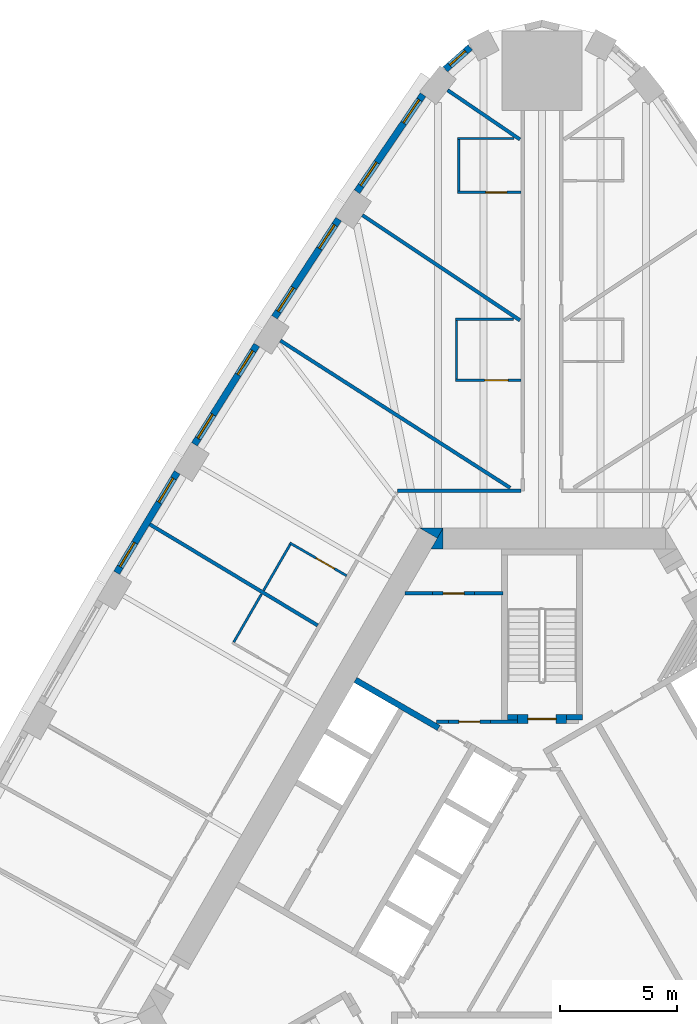
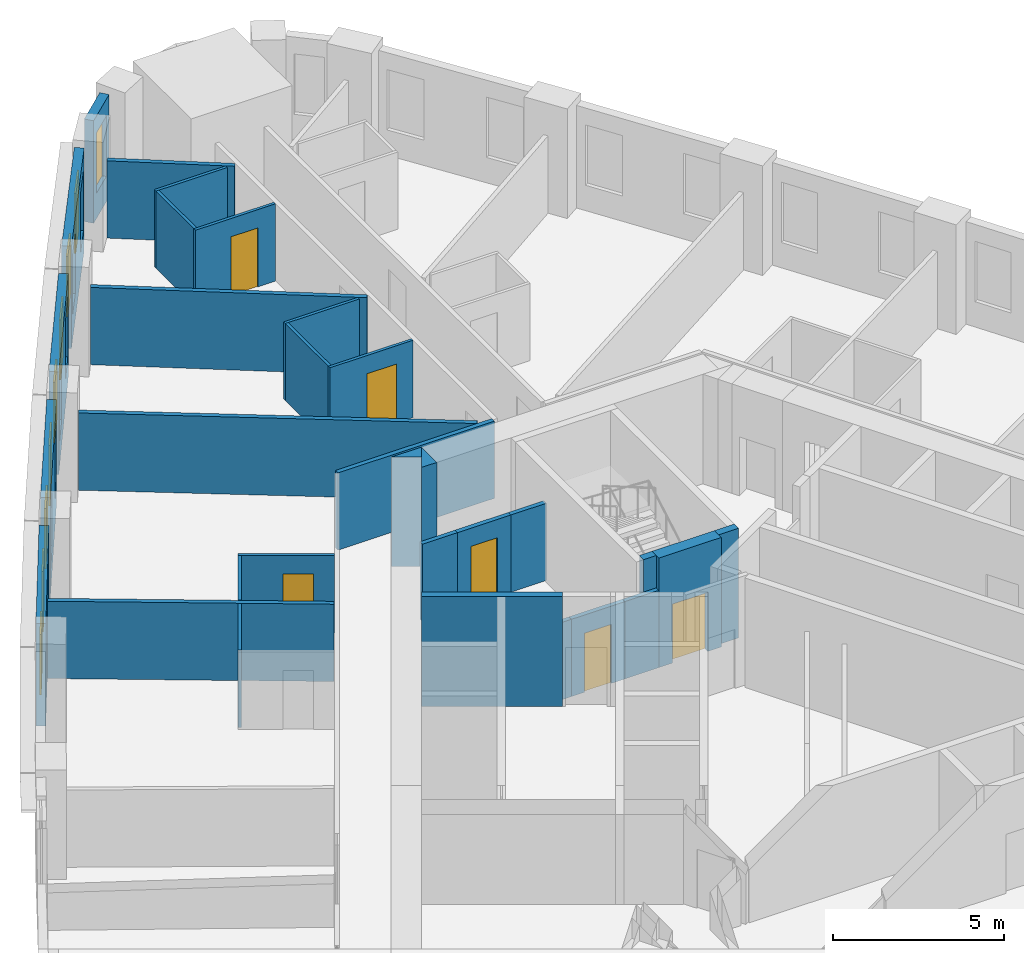
# One storey, part 9 of 12: 31 walls, 9 windows, 6 doors, 15 openings.
"""IFC4 building model written with IfcOpenShell, lengths in metres."""

from ifc_helpers import new_model, si_unit, direction, frame, frame_2d, origin, place, context, subcontext, project, spatial, polyline, rectangle, outline, extrude, material, layer, layer_set, type_object, element, fill, save


model = new_model("IFC4")

# Units and contexts
model_context = context("Model", 3, precision=1e-05, world=origin(), true_north=direction((0.0, 1.0)))
body_context = subcontext(model_context, "Body", "Model", "MODEL_VIEW")
ifc_project = project(units=[si_unit("LENGTHUNIT", "METRE"), si_unit("AREAUNIT", "SQUARE_METRE"), si_unit("VOLUMEUNIT", "CUBIC_METRE"), si_unit("PLANEANGLEUNIT", "RADIAN"), si_unit("MASSUNIT", "GRAM", prefix="KILO")], contexts=[model_context])

# Site, building, storey
site_placement = place(None, origin())
site = spatial("IfcSite", under=ifc_project, at=site_placement, CompositionType="ELEMENT")
building_placement = place(site_placement, origin())
building = spatial("IfcBuilding", under=site, at=building_placement, Name="Mestral Congress Tower", CompositionType="ELEMENT")
storey_placement = place(building_placement, frame((0.0, 0.0, 70.5)))
storey = spatial("IfcBuildingStorey", under=building, at=storey_placement, Name="L16", CompositionType="ELEMENT", Elevation=70.5)

# Walls
ifc_material_1 = material(Name="Fire-rated board partition")
ifc_layer_1 = layer(ifc_material_1, 0.14990234375)
ifc_layer_set_1 = layer_set([ifc_layer_1], Name="Fire-rated board partition")
wall_type_1 = type_object("IfcWallType", Name="Core partition 150", PredefinedType="PARTITIONING", material=ifc_layer_set_1)
wall_1_placement = place(storey_placement, frame((-3.99658203125, 8.625244140625, 0.0), z_axis=(0.0, 0.0, 1.0), x_axis=(-1.0, 0.0, 0.0)))
element("IfcWall", 1, at=wall_1_placement, inside=storey, type_object=wall_type_1, Name="L16 core wall", PredefinedType="PARTITIONING", context=body_context, shape_type="SweptSolid", body=[
    extrude(rectangle(XDim=0.502197265625, YDim=0.14990234375, at=frame_2d((0.2509765625, 0.0))), origin(), (0.0, 0.0, 1.0), 2.75),
])
wall_2_placement = place(storey_placement, frame((-5.85107421875, 14.10205078125, 0.0), z_axis=(0.0, 0.0, 1.0), x_axis=(1.0, 0.0, 0.0)))
element("IfcWall", 2, at=wall_2_placement, inside=storey, type_object=wall_type_1, Name="L16 core wall", PredefinedType="PARTITIONING", context=body_context, shape_type="SweptSolid", body=[
    extrude(rectangle(XDim=1.18017578125, YDim=0.14990234375, at=frame_2d((0.590087890625, 0.0))), origin(), (0.0, 0.0, 1.0), 2.75),
])
wall_3_placement = place(storey_placement, frame((-2.87060546875, 14.10205078125, 0.0), z_axis=(0.0, 0.0, 1.0), x_axis=(1.0, 0.0, 0.0)))
element("IfcWall", 3, at=wall_3_placement, inside=storey, type_object=wall_type_1, Name="L16 core wall", PredefinedType="PARTITIONING", context=body_context, shape_type="SweptSolid", body=[
    extrude(rectangle(XDim=1.195556640625, YDim=0.14990234375, at=frame_2d((0.59765625, 0.0))), origin(), (0.0, 0.0, 1.0), 2.75),
])
wall_4_placement = place(storey_placement, frame((-2.1962890625, 8.62548828125, 0.0), z_axis=(0.0, 0.0, 1.0), x_axis=(1.0, 0.0, 0.0)))
element("IfcWall", 4, at=wall_4_placement, inside=storey, type_object=wall_type_1, Name="L16 core wall", PredefinedType="PARTITIONING", context=body_context, shape_type="SweptSolid", body=[
    extrude(rectangle(XDim=1.146240234375, YDim=0.14990234375, at=frame_2d((0.5732421875, 0.0))), origin(), (0.0, 0.0, 1.0), 2.75),
])

# Wall, opening, door
wall_5_placement = place(storey_placement, frame((-2.1962890625, 8.625, 0.0), z_axis=(0.0, 0.0, 1.0), x_axis=(-1.0, 0.0, 0.0)))
wall_5 = element("IfcWall", 5, at=wall_5_placement, inside=storey, type_object=wall_type_1, Name="L16 door wall", PredefinedType="PARTITIONING", context=body_context, shape_type="SweptSolid", body=[
    extrude(rectangle(XDim=1.800048828125, YDim=0.14990234375, at=frame_2d((0.89990234375, 0.0))), origin(), (0.0, 0.0, 1.0), 2.75),
])
opening_1_placement = place(wall_5_placement, frame((0.449951171875, 0.0, 0.0)))
opening_1 = element("IfcOpeningElement", 6, at=opening_1_placement, cuts=wall_5, Name="Opening TD2", PredefinedType="OPENING", context=body_context, shape_type="SweptSolid", body=[
    extrude(rectangle(XDim=0.89990234375, YDim=2.10009765625, at=frame_2d((0.449951171875, 1.050048828125))), frame((0.0, 0.0849609375, 0.0), z_axis=(0.0, -1.0, 0.0), x_axis=(1.0, 0.0, 0.0)), (0.0, 0.0, 1.0), 0.169921875),
])
ifc_material_2 = material(Name="Fire-rated steel door set", Category="steel")
door_type_1 = type_object("IfcDoorType", Name="Core door SR 900x2100", OperationType="SINGLE_SWING_LEFT", PredefinedType="DOOR", material=ifc_material_2)
door_1_placement = place(opening_1_placement, origin())
door_1 = element("IfcDoor", 7, at=door_1_placement, inside=storey, type_object=door_type_1, Name="Door TD2", OperationType="SINGLE_SWING_LEFT", OverallHeight=2.10009765625, OverallWidth=0.89990234375, PredefinedType="DOOR", context=body_context, shape_type="SweptSolid", body=[
    extrude(rectangle(XDim=0.89990234375, YDim=2.10009765625, at=frame_2d((0.449951171875, 1.050048828125))), frame((0.0, 0.02490234375, 0.0), z_axis=(0.0, -1.0, 0.0), x_axis=(1.0, 0.0, 0.0)), (0.0, 0.0, 1.0), 0.050048828125),
])
fill(opening_1, door_1)

wall_6_placement = place(storey_placement, frame((-2.870849609375, 14.10205078125, 0.0), z_axis=(0.0, 0.0, 1.0), x_axis=(-1.0, 0.0, 0.0)))
wall_6 = element("IfcWall", 8, at=wall_6_placement, inside=storey, type_object=wall_type_1, Name="L16 door wall", PredefinedType="PARTITIONING", context=body_context, shape_type="SweptSolid", body=[
    extrude(rectangle(XDim=1.800048828125, YDim=0.14990234375, at=frame_2d((0.89990234375, 0.0))), origin(), (0.0, 0.0, 1.0), 2.75),
])
opening_2_placement = place(wall_6_placement, frame((0.449951171875, 0.0, 0.0)))
opening_2 = element("IfcOpeningElement", 9, at=opening_2_placement, cuts=wall_6, Name="Opening SD-WS2", PredefinedType="OPENING", context=body_context, shape_type="SweptSolid", body=[
    extrude(rectangle(XDim=0.89990234375, YDim=2.10009765625, at=frame_2d((0.449951171875, 1.050048828125))), frame((0.0, 0.0849609375, 0.0), z_axis=(0.0, -1.0, 0.0), x_axis=(1.0, 0.0, 0.0)), (0.0, 0.0, 1.0), 0.169921875),
])
door_2_placement = place(opening_2_placement, origin())
door_2 = element("IfcDoor", 10, at=door_2_placement, inside=storey, type_object=door_type_1, Name="Door SD-WS2", OperationType="SINGLE_SWING_LEFT", OverallHeight=2.10009765625, OverallWidth=0.89990234375, PredefinedType="DOOR", context=body_context, shape_type="SweptSolid", body=[
    extrude(rectangle(XDim=0.89990234375, YDim=2.10009765625, at=frame_2d((0.449951171875, 1.050048828125))), frame((0.0, 0.02490234375, 0.0), z_axis=(0.0, -1.0, 0.0), x_axis=(1.0, 0.0, 0.0)), (0.0, 0.0, 1.0), 0.050048828125),
])
fill(opening_2, door_2)

# Walls
ifc_material_3 = material(Name="Concrete C60/75", Category="concrete")
ifc_layer_2 = layer(ifc_material_3, 0.89990234375)
ifc_layer_set_2 = layer_set([ifc_layer_2], Name="Concrete C60/75")
wall_type_2 = type_object("IfcWallType", Name="Core wall RC 900", PredefinedType="SOLIDWALL", material=ifc_layer_set_2)
placement = place(storey_placement, origin())
element("IfcWall", 11, at=placement, inside=storey, type_object=wall_type_2, Name="L16 core wall", PredefinedType="SOLIDWALL", context=body_context, shape_type="SweptSolid", body=[
    extrude(outline(polyline([(-4.214599609375, 16.89990234375), (-4.46875, 16.460205078125), (-5.230712890625, 16.89990234375), (-4.214599609375, 16.89990234375)])), origin(), (0.0, 0.0, 1.0), 3.89990234375),
])
element("IfcWall", 12, at=placement, inside=storey, type_object=wall_type_2, Name="L16 core wall", PredefinedType="SOLIDWALL", context=body_context, shape_type="SweptSolid", body=[
    extrude(outline(polyline([(-4.734375, 16.0), (-4.226318359375, 16.8798828125), (-4.226318359375, 16.0), (-4.734375, 16.0)])), origin(), (0.0, 0.0, 1.0), 3.89990234375),
])

# Wall, opening, window
ifc_material_4 = material(Name="Precast concrete C40/50 with limestone facing", Category="masonry")
ifc_layer_3 = layer(ifc_material_4, 0.2900390625)
ifc_layer_set_3 = layer_set([ifc_layer_3], Name="Precast concrete C40/50 with limestone facing")
wall_type_3 = type_object("IfcWallType", Name="Facade stone wall 290", PredefinedType="SOLIDWALL", material=ifc_layer_set_3)
wall_9_placement = place(storey_placement, frame((-3.064453125, 37.395263671875, 0.0), z_axis=(0.0, 0.0, 1.0), x_axis=(-0.749812680302, -0.661650167731, 0.0)))
wall_9 = element("IfcWall", 13, at=wall_9_placement, inside=storey, type_object=wall_type_3, Name="Facade wall K1-3", PredefinedType="SOLIDWALL", context=body_context, shape_type="SweptSolid", body=[
    extrude(rectangle(XDim=1.4150390625, YDim=0.2900390625, at=frame_2d((0.70751953125, 0.0))), origin(), (0.0, 0.0, 1.0), 3.64990234375),
])
opening_3_placement = place(wall_9_placement, frame((0.257568359375, 0.0, 0.89990234375)))
opening_3 = element("IfcOpeningElement", 14, at=opening_3_placement, cuts=wall_9, Name="Opening W3", PredefinedType="OPENING", context=body_context, shape_type="SweptSolid", body=[
    extrude(rectangle(XDim=0.89990234375, YDim=2.14990234375, at=frame_2d((0.449951171875, 1.074951171875))), frame((0.0, 0.155029296875, 0.0), z_axis=(0.0, -1.0, 0.0), x_axis=(1.0, 0.0, 0.0)), (0.0, 0.0, 1.0), 0.31005859375),
])
ifc_material_5 = material(Name="Clear low-emissivity double glazing", Category="glass")
window_type_1 = type_object("IfcWindowType", Name="Facade punched window 900 x 2150 sill 900", PartitioningType="SINGLE_PANEL", PredefinedType="WINDOW", material=ifc_material_5)
window_1_placement = place(opening_3_placement, origin())
window_1 = element("IfcWindow", 15, at=window_1_placement, inside=storey, type_object=window_type_1, Name="Window K1-3", OverallHeight=2.14990234375, OverallWidth=0.89990234375, PartitioningType="SINGLE_PANEL", PredefinedType="WINDOW", context=body_context, shape_type="SweptSolid", body=[
    extrude(rectangle(XDim=0.89990234375, YDim=2.14990234375, at=frame_2d((0.449951171875, 1.074951171875))), frame((0.0, 0.01513671875, 0.0), z_axis=(0.0, -1.0, 0.0), x_axis=(1.0, 0.0, 0.0)), (0.0, 0.0, 1.0), 0.06005859375),
])
fill(opening_3, window_1)

# Wall, openings, windows
wall_10_placement = place(storey_placement, frame((-5.078369140625, 35.37646484375, 0.0), z_axis=(0.0, 0.0, 1.0), x_axis=(-0.562610153679, -0.826722332454, 0.0)))
wall_10 = element("IfcWall", 16, at=wall_10_placement, inside=storey, type_object=wall_type_3, Name="Facade wall F2-00", PredefinedType="SOLIDWALL", context=body_context, shape_type="SweptSolid", body=[
    extrude(rectangle(XDim=5.005615234375, YDim=0.2900390625, at=frame_2d((2.5029296875, 0.0))), origin(), (0.0, 0.0, 1.0), 3.64990234375),
])
opening_4_placement = place(wall_10_placement, frame((0.26513671875, 0.0, 0.89990234375)))
opening_4 = element("IfcOpeningElement", 17, at=opening_4_placement, cuts=wall_10, Name="Opening W1", PredefinedType="OPENING", context=body_context, shape_type="SweptSolid", body=[
    extrude(rectangle(XDim=1.199951171875, YDim=2.14990234375, at=frame_2d((0.60009765625, 1.074951171875))), frame((0.0, 0.155029296875, 0.0), z_axis=(0.0, -1.0, 0.0), x_axis=(1.0, 0.0, 0.0)), (0.0, 0.0, 1.0), 0.31005859375),
])
opening_5_placement = place(wall_10_placement, frame((3.495361328125, 0.0, 0.89990234375)))
opening_5 = element("IfcOpeningElement", 18, at=opening_5_placement, cuts=wall_10, Name="Opening W1", PredefinedType="OPENING", context=body_context, shape_type="SweptSolid", body=[
    extrude(rectangle(XDim=1.199951171875, YDim=2.14990234375, at=frame_2d((0.60009765625, 1.074951171875))), frame((0.0, 0.155029296875, 0.0), z_axis=(0.0, -1.0, 0.0), x_axis=(1.0, 0.0, 0.0)), (0.0, 0.0, 1.0), 0.31005859375),
])
window_type_2 = type_object("IfcWindowType", Name="Facade punched window 1200 x 2150 sill 900", PartitioningType="DOUBLE_PANEL_VERTICAL", PredefinedType="WINDOW", material=ifc_material_5)
window_2_placement = place(opening_4_placement, origin())
window_2 = element("IfcWindow", 19, at=window_2_placement, inside=storey, type_object=window_type_2, Name="Window F2-00a", OverallHeight=2.14990234375, OverallWidth=1.199951171875, PartitioningType="DOUBLE_PANEL_VERTICAL", PredefinedType="WINDOW", context=body_context, shape_type="SweptSolid", body=[
    extrude(rectangle(XDim=1.199951171875, YDim=2.14990234375, at=frame_2d((0.60009765625, 1.074951171875))), frame((0.0, 0.01513671875, 0.0), z_axis=(0.0, -1.0, 0.0), x_axis=(1.0, 0.0, 0.0)), (0.0, 0.0, 1.0), 0.06005859375),
])
fill(opening_4, window_2)
window_3_placement = place(opening_5_placement, origin())
window_3 = element("IfcWindow", 20, at=window_3_placement, inside=storey, type_object=window_type_2, Name="Window F2-00b", OverallHeight=2.14990234375, OverallWidth=1.199951171875, PartitioningType="DOUBLE_PANEL_VERTICAL", PredefinedType="WINDOW", context=body_context, shape_type="SweptSolid", body=[
    extrude(rectangle(XDim=1.199951171875, YDim=2.14990234375, at=frame_2d((0.60009765625, 1.074951171875))), frame((0.0, 0.01513671875, 0.0), z_axis=(0.0, -1.0, 0.0), x_axis=(1.0, 0.0, 0.0)), (0.0, 0.0, 1.0), 0.06005859375),
])
fill(opening_5, window_3)

wall_11_placement = place(storey_placement, frame((-8.675537109375, 30.067626953125, 0.0), z_axis=(0.0, 0.0, 1.0), x_axis=(-0.547204617628, -0.836998868845, 0.0)))
wall_11 = element("IfcWall", 21, at=wall_11_placement, inside=storey, type_object=wall_type_3, Name="Facade wall F2-01", PredefinedType="SOLIDWALL", context=body_context, shape_type="SweptSolid", body=[
    extrude(rectangle(XDim=4.998291015625, YDim=0.2900390625, at=frame_2d((2.4990234375, 0.0))), origin(), (0.0, 0.0, 1.0), 3.64990234375),
])
opening_6_placement = place(wall_11_placement, frame((0.297119140625, 0.0, 0.89990234375)))
opening_6 = element("IfcOpeningElement", 22, at=opening_6_placement, cuts=wall_11, Name="Opening W1", PredefinedType="OPENING", context=body_context, shape_type="SweptSolid", body=[
    extrude(rectangle(XDim=1.199951171875, YDim=2.14990234375, at=frame_2d((0.60009765625, 1.074951171875))), frame((0.0, 0.155029296875, 0.0), z_axis=(0.0, -1.0, 0.0), x_axis=(1.0, 0.0, 0.0)), (0.0, 0.0, 1.0), 0.31005859375),
])
opening_7_placement = place(wall_11_placement, frame((3.501220703125, 0.0, 0.89990234375)))
opening_7 = element("IfcOpeningElement", 23, at=opening_7_placement, cuts=wall_11, Name="Opening W1", PredefinedType="OPENING", context=body_context, shape_type="SweptSolid", body=[
    extrude(rectangle(XDim=1.199951171875, YDim=2.14990234375, at=frame_2d((0.60009765625, 1.074951171875))), frame((0.0, 0.155029296875, 0.0), z_axis=(0.0, -1.0, 0.0), x_axis=(1.0, 0.0, 0.0)), (0.0, 0.0, 1.0), 0.31005859375),
])
window_4_placement = place(opening_6_placement, origin())
window_4 = element("IfcWindow", 24, at=window_4_placement, inside=storey, type_object=window_type_2, Name="Window F2-01a", OverallHeight=2.14990234375, OverallWidth=1.199951171875, PartitioningType="DOUBLE_PANEL_VERTICAL", PredefinedType="WINDOW", context=body_context, shape_type="SweptSolid", body=[
    extrude(rectangle(XDim=1.199951171875, YDim=2.14990234375, at=frame_2d((0.60009765625, 1.074951171875))), frame((0.0, 0.01513671875, 0.0), z_axis=(0.0, -1.0, 0.0), x_axis=(1.0, 0.0, 0.0)), (0.0, 0.0, 1.0), 0.06005859375),
])
fill(opening_6, window_4)
window_5_placement = place(opening_7_placement, origin())
window_5 = element("IfcWindow", 25, at=window_5_placement, inside=storey, type_object=window_type_2, Name="Window F2-01b", OverallHeight=2.14990234375, OverallWidth=1.199951171875, PartitioningType="DOUBLE_PANEL_VERTICAL", PredefinedType="WINDOW", context=body_context, shape_type="SweptSolid", body=[
    extrude(rectangle(XDim=1.199951171875, YDim=2.14990234375, at=frame_2d((0.60009765625, 1.074951171875))), frame((0.0, 0.01513671875, 0.0), z_axis=(0.0, -1.0, 0.0), x_axis=(1.0, 0.0, 0.0)), (0.0, 0.0, 1.0), 0.06005859375),
])
fill(opening_7, window_5)

wall_12_placement = place(storey_placement, frame((-12.169921875, 24.69921875, 0.0), z_axis=(0.0, 0.0, 1.0), x_axis=(-0.531688286542, -0.846940119462, 0.0)))
wall_12 = element("IfcWall", 26, at=wall_12_placement, inside=storey, type_object=wall_type_3, Name="Facade wall F2-02", PredefinedType="SOLIDWALL", context=body_context, shape_type="SweptSolid", body=[
    extrude(rectangle(XDim=4.998291015625, YDim=0.2900390625, at=frame_2d((2.4990234375, 0.0))), origin(), (0.0, 0.0, 1.0), 3.64990234375),
])
opening_8_placement = place(wall_12_placement, frame((0.297119140625, 0.0, 0.89990234375)))
opening_8 = element("IfcOpeningElement", 27, at=opening_8_placement, cuts=wall_12, Name="Opening W1", PredefinedType="OPENING", context=body_context, shape_type="SweptSolid", body=[
    extrude(rectangle(XDim=1.199951171875, YDim=2.14990234375, at=frame_2d((0.60009765625, 1.074951171875))), frame((0.0, 0.155029296875, 0.0), z_axis=(0.0, -1.0, 0.0), x_axis=(1.0, 0.0, 0.0)), (0.0, 0.0, 1.0), 0.31005859375),
])
opening_9_placement = place(wall_12_placement, frame((3.501220703125, 0.0, 0.89990234375)))
opening_9 = element("IfcOpeningElement", 28, at=opening_9_placement, cuts=wall_12, Name="Opening W1", PredefinedType="OPENING", context=body_context, shape_type="SweptSolid", body=[
    extrude(rectangle(XDim=1.199951171875, YDim=2.14990234375, at=frame_2d((0.60009765625, 1.074951171875))), frame((0.0, 0.155029296875, 0.0), z_axis=(0.0, -1.0, 0.0), x_axis=(1.0, 0.0, 0.0)), (0.0, 0.0, 1.0), 0.31005859375),
])
window_6_placement = place(opening_8_placement, origin())
window_6 = element("IfcWindow", 29, at=window_6_placement, inside=storey, type_object=window_type_2, Name="Window F2-02a", OverallHeight=2.14990234375, OverallWidth=1.199951171875, PartitioningType="DOUBLE_PANEL_VERTICAL", PredefinedType="WINDOW", context=body_context, shape_type="SweptSolid", body=[
    extrude(rectangle(XDim=1.199951171875, YDim=2.14990234375, at=frame_2d((0.60009765625, 1.074951171875))), frame((0.0, 0.01513671875, 0.0), z_axis=(0.0, -1.0, 0.0), x_axis=(1.0, 0.0, 0.0)), (0.0, 0.0, 1.0), 0.06005859375),
])
fill(opening_8, window_6)
window_7_placement = place(opening_9_placement, origin())
window_7 = element("IfcWindow", 30, at=window_7_placement, inside=storey, type_object=window_type_2, Name="Window F2-02b", OverallHeight=2.14990234375, OverallWidth=1.199951171875, PartitioningType="DOUBLE_PANEL_VERTICAL", PredefinedType="WINDOW", context=body_context, shape_type="SweptSolid", body=[
    extrude(rectangle(XDim=1.199951171875, YDim=2.14990234375, at=frame_2d((0.60009765625, 1.074951171875))), frame((0.0, 0.01513671875, 0.0), z_axis=(0.0, -1.0, 0.0), x_axis=(1.0, 0.0, 0.0)), (0.0, 0.0, 1.0), 0.06005859375),
])
fill(opening_9, window_7)

wall_13_placement = place(storey_placement, frame((-15.564453125, 19.267333984375, 0.0), z_axis=(0.0, 0.0, 1.0), x_axis=(-0.515938796285, -0.856625448191, 0.0)))
wall_13 = element("IfcWall", 31, at=wall_13_placement, inside=storey, type_object=wall_type_3, Name="Facade wall F2-03", PredefinedType="SOLIDWALL", context=body_context, shape_type="SweptSolid", body=[
    extrude(rectangle(XDim=4.998291015625, YDim=0.2900390625, at=frame_2d((2.4990234375, 0.0))), origin(), (0.0, 0.0, 1.0), 3.64990234375),
])
opening_10_placement = place(wall_13_placement, frame((0.297119140625, 0.0, 0.89990234375)))
opening_10 = element("IfcOpeningElement", 32, at=opening_10_placement, cuts=wall_13, Name="Opening W1", PredefinedType="OPENING", context=body_context, shape_type="SweptSolid", body=[
    extrude(rectangle(XDim=1.199951171875, YDim=2.14990234375, at=frame_2d((0.60009765625, 1.074951171875))), frame((0.0, 0.155029296875, 0.0), z_axis=(0.0, -1.0, 0.0), x_axis=(1.0, 0.0, 0.0)), (0.0, 0.0, 1.0), 0.31005859375),
])
opening_11_placement = place(wall_13_placement, frame((3.501220703125, 0.0, 0.89990234375)))
opening_11 = element("IfcOpeningElement", 33, at=opening_11_placement, cuts=wall_13, Name="Opening W1", PredefinedType="OPENING", context=body_context, shape_type="SweptSolid", body=[
    extrude(rectangle(XDim=1.199951171875, YDim=2.14990234375, at=frame_2d((0.60009765625, 1.074951171875))), frame((0.0, 0.155029296875, 0.0), z_axis=(0.0, -1.0, 0.0), x_axis=(1.0, 0.0, 0.0)), (0.0, 0.0, 1.0), 0.31005859375),
])
window_8_placement = place(opening_10_placement, origin())
window_8 = element("IfcWindow", 34, at=window_8_placement, inside=storey, type_object=window_type_2, Name="Window F2-03a", OverallHeight=2.14990234375, OverallWidth=1.199951171875, PartitioningType="DOUBLE_PANEL_VERTICAL", PredefinedType="WINDOW", context=body_context, shape_type="SweptSolid", body=[
    extrude(rectangle(XDim=1.199951171875, YDim=2.14990234375, at=frame_2d((0.60009765625, 1.074951171875))), frame((0.0, 0.01513671875, 0.0), z_axis=(0.0, -1.0, 0.0), x_axis=(1.0, 0.0, 0.0)), (0.0, 0.0, 1.0), 0.06005859375),
])
fill(opening_10, window_8)
window_9_placement = place(opening_11_placement, origin())
window_9 = element("IfcWindow", 35, at=window_9_placement, inside=storey, type_object=window_type_2, Name="Window F2-03b", OverallHeight=2.14990234375, OverallWidth=1.199951171875, PartitioningType="DOUBLE_PANEL_VERTICAL", PredefinedType="WINDOW", context=body_context, shape_type="SweptSolid", body=[
    extrude(rectangle(XDim=1.199951171875, YDim=2.14990234375, at=frame_2d((0.60009765625, 1.074951171875))), frame((0.0, 0.01513671875, 0.0), z_axis=(0.0, -1.0, 0.0), x_axis=(1.0, 0.0, 0.0)), (0.0, 0.0, 1.0), 0.06005859375),
])
fill(opening_11, window_9)

# Wall, opening, door
ifc_material_6 = material(Name="Gypsum board partition on metal studs with mineral wool", Category="composite")
ifc_layer_4 = layer(ifc_material_6, 0.10009765625)
ifc_layer_set_4 = layer_set([ifc_layer_4], Name="Gypsum board partition on metal studs with mineral wool")
wall_type_4 = type_object("IfcWallType", Name="Hotel partition wall 100", PredefinedType="PARTITIONING", material=ifc_layer_set_4)
wall_14_placement = place(storey_placement, frame((-3.60009765625, 31.20849609375, 0.0), z_axis=(0.0, 0.0, 1.0), x_axis=(1.0, 0.0, 0.0)))
wall_14 = element("IfcWall", 36, at=wall_14_placement, inside=storey, type_object=wall_type_4, Name="L16-h-pod16a", PredefinedType="PARTITIONING", context=body_context, shape_type="SweptSolid", body=[
    extrude(rectangle(XDim=2.7001953125, YDim=0.10009765625, at=frame_2d((1.35009765625, 0.0))), origin(), (0.0, 0.0, 1.0), 2.75),
])
opening_12_placement = place(wall_14_placement, frame((1.199951171875, 0.0, 0.0)))
opening_12 = element("IfcOpeningElement", 37, at=opening_12_placement, cuts=wall_14, Name="Opening H04-032", PredefinedType="OPENING", context=body_context, shape_type="SweptSolid", body=[
    extrude(rectangle(XDim=0.89990234375, YDim=2.10009765625, at=frame_2d((0.449951171875, 1.050048828125))), frame((0.0, 0.06005859375, 0.0), z_axis=(0.0, -1.0, 0.0), x_axis=(1.0, 0.0, 0.0)), (0.0, 0.0, 1.0), 0.1201171875),
])
ifc_material_7 = material(Name="Timber veneer door leaf in timber frame", Category="wood")
door_type_2 = type_object("IfcDoorType", Name="Bathroom door 900", OperationType="SINGLE_SWING_LEFT", PredefinedType="DOOR", material=ifc_material_7)
door_3_placement = place(opening_12_placement, origin())
door_3 = element("IfcDoor", 38, at=door_3_placement, inside=storey, type_object=door_type_2, Name="L16-h-d032", OperationType="SINGLE_SWING_LEFT", OverallHeight=2.10009765625, OverallWidth=0.89990234375, PredefinedType="DOOR", context=body_context, shape_type="SweptSolid", body=[
    extrude(rectangle(XDim=0.89990234375, YDim=2.10009765625, at=frame_2d((0.449951171875, 1.050048828125))), frame((0.0, 0.02490234375, 0.0), z_axis=(0.0, -1.0, 0.0), x_axis=(1.0, 0.0, 0.0)), (0.0, 0.0, 1.0), 0.050048828125),
])
fill(opening_12, door_3)

# Walls
wall_15_placement = place(storey_placement, frame((-3.550048828125, 31.258544921875, 0.0), z_axis=(0.0, 0.0, 1.0), x_axis=(0.0, 1.0, 0.0)))
element("IfcWall", 39, at=wall_15_placement, inside=storey, type_object=wall_type_4, Name="L16-h-pod16b", PredefinedType="PARTITIONING", context=body_context, shape_type="SweptSolid", body=[
    extrude(rectangle(XDim=2.199951171875, YDim=0.10009765625, at=frame_2d((1.10009765625, 0.0))), origin(), (0.0, 0.0, 1.0), 2.75),
])
wall_16_placement = place(storey_placement, frame((-1.199951171875, 33.508544921875, 0.0), z_axis=(0.0, 0.0, 1.0), x_axis=(-1.0, 0.0, 0.0)))
element("IfcWall", 40, at=wall_16_placement, inside=storey, type_object=wall_type_4, Name="L16-h-pod16c", PredefinedType="PARTITIONING", context=body_context, shape_type="SweptSolid", body=[
    extrude(rectangle(XDim=2.400146484375, YDim=0.10009765625, at=frame_2d((1.2001953125, 0.0))), origin(), (0.0, 0.0, 1.0), 2.75),
])

# Wall, opening, door
wall_17_placement = place(storey_placement, frame((-3.699951171875, 23.194580078125, 0.0), z_axis=(0.0, 0.0, 1.0), x_axis=(1.0, 0.0, 0.0)))
wall_17 = element("IfcWall", 41, at=wall_17_placement, inside=storey, type_object=wall_type_4, Name="L16-h-pod17a", PredefinedType="PARTITIONING", context=body_context, shape_type="SweptSolid", body=[
    extrude(rectangle(XDim=2.800048828125, YDim=0.10009765625, at=frame_2d((1.39990234375, 0.0))), origin(), (0.0, 0.0, 1.0), 2.75),
])
opening_13_placement = place(wall_17_placement, frame((1.25, 0.0, 0.0)))
opening_13 = element("IfcOpeningElement", 42, at=opening_13_placement, cuts=wall_17, Name="Opening H04-034", PredefinedType="OPENING", context=body_context, shape_type="SweptSolid", body=[
    extrude(rectangle(XDim=1.0, YDim=2.10009765625, at=frame_2d((0.5, 1.050048828125))), frame((0.0, 0.06005859375, 0.0), z_axis=(0.0, -1.0, 0.0), x_axis=(1.0, 0.0, 0.0)), (0.0, 0.0, 1.0), 0.1201171875),
])
door_type_3 = type_object("IfcDoorType", Name="Accessible bathroom door 1000", OperationType="SINGLE_SWING_LEFT", PredefinedType="DOOR", material=ifc_material_7)
door_4_placement = place(opening_13_placement, origin())
door_4 = element("IfcDoor", 43, at=door_4_placement, inside=storey, type_object=door_type_3, Name="L16-h-d034", OperationType="SINGLE_SWING_LEFT", OverallHeight=2.10009765625, OverallWidth=1.0, PredefinedType="DOOR", context=body_context, shape_type="SweptSolid", body=[
    extrude(rectangle(XDim=1.0, YDim=2.10009765625, at=frame_2d((0.5, 1.050048828125))), frame((0.0, 0.02490234375, 0.0), z_axis=(0.0, -1.0, 0.0), x_axis=(1.0, 0.0, 0.0)), (0.0, 0.0, 1.0), 0.050048828125),
])
fill(opening_13, door_4)

# Walls
wall_18_placement = place(storey_placement, frame((-3.64990234375, 23.24462890625, 0.0), z_axis=(0.0, 0.0, 1.0), x_axis=(0.0, 1.0, 0.0)))
element("IfcWall", 44, at=wall_18_placement, inside=storey, type_object=wall_type_4, Name="L16-h-pod17b", PredefinedType="PARTITIONING", context=body_context, shape_type="SweptSolid", body=[
    extrude(rectangle(XDim=2.5, YDim=0.10009765625, at=frame_2d((1.25, 0.0))), origin(), (0.0, 0.0, 1.0), 2.75),
])
wall_19_placement = place(storey_placement, frame((-1.2099609375, 25.794677734375, 0.0), z_axis=(0.0, 0.0, 1.0), x_axis=(-1.0, 0.0, 0.0)))
element("IfcWall", 45, at=wall_19_placement, inside=storey, type_object=wall_type_4, Name="L16-h-pod17c", PredefinedType="PARTITIONING", context=body_context, shape_type="SweptSolid", body=[
    extrude(rectangle(XDim=2.489990234375, YDim=0.10009765625, at=frame_2d((1.2451171875, 0.0))), origin(), (0.0, 0.0, 1.0), 2.75),
])

# Wall, opening, door
wall_20_placement = place(storey_placement, frame((-8.336669921875, 14.860595703125, 0.0), z_axis=(0.0, 0.0, 1.0), x_axis=(-0.866034573852, 0.49998411664, 0.0)))
wall_20 = element("IfcWall", 46, at=wall_20_placement, inside=storey, type_object=wall_type_4, Name="L16-h-pod18a", PredefinedType="PARTITIONING", context=body_context, shape_type="SweptSolid", body=[
    extrude(rectangle(XDim=2.7998046875, YDim=0.10009765625, at=frame_2d((1.39990234375, 0.0))), origin(), (0.0, 0.0, 1.0), 2.75),
])
opening_14_placement = place(wall_20_placement, frame((0.60009765625, 0.0, 0.0)))
opening_14 = element("IfcOpeningElement", 47, at=opening_14_placement, cuts=wall_20, Name="Opening H04-036", PredefinedType="OPENING", context=body_context, shape_type="SweptSolid", body=[
    extrude(rectangle(XDim=0.89990234375, YDim=2.10009765625, at=frame_2d((0.449951171875, 1.050048828125))), frame((0.0, 0.06005859375, 0.0), z_axis=(0.0, -1.0, 0.0), x_axis=(1.0, 0.0, 0.0)), (0.0, 0.0, 1.0), 0.1201171875),
])
door_5_placement = place(opening_14_placement, origin())
door_5 = element("IfcDoor", 48, at=door_5_placement, inside=storey, type_object=door_type_2, Name="L16-h-d036", OperationType="SINGLE_SWING_RIGHT", OverallHeight=2.10009765625, OverallWidth=0.89990234375, PredefinedType="DOOR", context=body_context, shape_type="SweptSolid", body=[
    extrude(rectangle(XDim=0.89990234375, YDim=2.10009765625, at=frame_2d((0.449951171875, 1.050048828125))), frame((0.0, 0.02490234375, 0.0), z_axis=(0.0, -1.0, 0.0), x_axis=(1.0, 0.0, 0.0)), (0.0, 0.0, 1.0), 0.050048828125),
])
fill(opening_14, door_5)

# Walls
wall_21_placement = place(storey_placement, frame((-10.7431640625, 16.192138671875, 0.0), z_axis=(0.0, 0.0, 1.0), x_axis=(-0.500014167291, -0.866017224141, 0.0)))
element("IfcWall", 49, at=wall_21_placement, inside=storey, type_object=wall_type_4, Name="L16-h-pod18b", PredefinedType="PARTITIONING", context=body_context, shape_type="SweptSolid", body=[
    extrude(rectangle(XDim=2.27001953125, YDim=0.10009765625, at=frame_2d((1.135009765625, 0.0))), origin(), (0.0, 0.0, 1.0), 2.75),
])
wall_22_placement = place(storey_placement, frame((-13.146728515625, 12.029052734375, 0.0), z_axis=(0.0, 0.0, 1.0), x_axis=(0.499939447199, 0.866060361138, 0.0)))
element("IfcWall", 50, at=wall_22_placement, inside=storey, type_object=wall_type_4, Name="L16-h-pod19b", PredefinedType="PARTITIONING", context=body_context, shape_type="SweptSolid", body=[
    extrude(rectangle(XDim=2.369873046875, YDim=0.10009765625, at=frame_2d((1.18505859375, 0.0))), origin(), (0.0, 0.0, 1.0), 2.75),
])
ifc_layer_5 = layer(ifc_material_6, 0.14990234375)
ifc_layer_set_5 = layer_set([ifc_layer_5], Name="Gypsum board partition on metal studs with mineral wool")
wall_type_5 = type_object("IfcWallType", Name="Hotel partition wall 150", PredefinedType="PARTITIONING", material=ifc_layer_set_5)
wall_23_placement = place(storey_placement, frame((-6.1630859375, 18.47509765625, 0.0), z_axis=(0.0, 0.0, 1.0), x_axis=(1.0, 0.0, 0.0)))
element("IfcWall", 51, at=wall_23_placement, inside=storey, type_object=wall_type_5, Name="L16-h-cw07", PredefinedType="PARTITIONING", context=body_context, shape_type="SweptSolid", body=[
    extrude(rectangle(XDim=5.258056640625, YDim=0.14990234375, at=frame_2d((2.62890625, 0.0))), origin(), (0.0, 0.0, 1.0), 2.75),
])
wall_24_placement = place(storey_placement, frame((-16.7294921875, 17.051513671875, 0.0), z_axis=(0.0, 0.0, 1.0), x_axis=(0.856630606266, -0.515930232113, 0.0)))
element("IfcWall", 52, at=wall_24_placement, inside=storey, type_object=wall_type_5, Name="L16-h-pw07", PredefinedType="PARTITIONING", context=body_context, shape_type="SweptSolid", body=[
    extrude(rectangle(XDim=8.35546875, YDim=0.14990234375, at=frame_2d((4.177734375, 0.0))), origin(), (0.0, 0.0, 1.0), 2.75),
])
wall_25_placement = place(storey_placement, frame((-11.16015625, 24.887939453125, 0.0), z_axis=(0.0, 0.0, 1.0), x_axis=(0.84199813156, -0.539480441211, 0.0)))
element("IfcWall", 53, at=wall_25_placement, inside=storey, type_object=wall_type_5, Name="L16-h-pw09", PredefinedType="PARTITIONING", context=body_context, shape_type="SweptSolid", body=[
    extrude(rectangle(XDim=11.63818359375, YDim=0.14990234375, at=frame_2d((5.819091796875, 0.0))), origin(), (0.0, 0.0, 1.0), 2.75),
])
wall_26_placement = place(storey_placement, frame((-7.662353515625, 30.237548828125, 0.0), z_axis=(0.0, 0.0, 1.0), x_axis=(0.831882886825, -0.554951225431, 0.0)))
element("IfcWall", 54, at=wall_26_placement, inside=storey, type_object=wall_type_5, Name="L16-h-pw10", PredefinedType="PARTITIONING", context=body_context, shape_type="SweptSolid", body=[
    extrude(rectangle(XDim=8.078857421875, YDim=0.14990234375, at=frame_2d((4.03955078125, 0.0))), origin(), (0.0, 0.0, 1.0), 2.75),
])
wall_27_placement = place(storey_placement, frame((-4.02783203125, 35.56884765625, 0.0), z_axis=(0.0, 0.0, 1.0), x_axis=(0.826730622998, -0.562597971021, 0.0)))
element("IfcWall", 55, at=wall_27_placement, inside=storey, type_object=wall_type_5, Name="L16-h-pw11", PredefinedType="PARTITIONING", context=body_context, shape_type="SweptSolid", body=[
    extrude(rectangle(XDim=3.7333984375, YDim=0.14990234375, at=frame_2d((1.86669921875, 0.0))), origin(), (0.0, 0.0, 1.0), 2.75),
])
ifc_layer_6 = layer(ifc_material_3, 0.25)
ifc_layer_set_6 = layer_set([ifc_layer_6], Name="Concrete C60/75")
wall_type_6 = type_object("IfcWallType", Name="Shaft wall RC 250", PredefinedType="SOLIDWALL", material=ifc_layer_set_6)
wall_28_placement = place(storey_placement, frame((-7.958984375, 10.414794921875, 0.0), z_axis=(0.0, 0.0, 1.0), x_axis=(0.866020958405, -0.500007699544, 0.0)))
element("IfcWall", 56, at=wall_28_placement, inside=storey, type_object=wall_type_6, Name="L16 core wall", PredefinedType="SOLIDWALL", context=body_context, shape_type="SweptSolid", body=[
    extrude(rectangle(XDim=4.099609375, YDim=0.25, at=frame_2d((2.0498046875, 0.0))), origin(), (0.0, 0.0, 1.0), 3.89990234375),
])
ifc_layer_7 = layer(ifc_material_3, 0.25)
ifc_layer_set_7 = layer_set([ifc_layer_7], Name="Concrete C60/75")
wall_type_7 = type_object("IfcWallType", Name="Stair wall RC 250", PredefinedType="SOLIDWALL", material=ifc_layer_set_7)
wall_29_placement = place(storey_placement, frame((1.050048828125, 8.824951171875, 0.0), z_axis=(0.0, 0.0, 1.0), x_axis=(1.0, 0.0, 0.0)))
element("IfcWall", 57, at=wall_29_placement, inside=storey, type_object=wall_type_7, Name="L16 core wall", PredefinedType="SOLIDWALL", context=body_context, shape_type="SweptSolid", body=[
    extrude(rectangle(XDim=0.675048828125, YDim=0.25, at=frame_2d((0.33740234375, 0.0))), origin(), (0.0, 0.0, 1.0), 3.89990234375),
])
wall_30_placement = place(storey_placement, frame((-1.47509765625, 8.824951171875, 0.0), z_axis=(0.0, 0.0, 1.0), x_axis=(1.0, 0.0, 0.0)))
element("IfcWall", 58, at=wall_30_placement, inside=storey, type_object=wall_type_7, Name="L16 core wall", PredefinedType="SOLIDWALL", context=body_context, shape_type="SweptSolid", body=[
    extrude(rectangle(XDim=0.425048828125, YDim=0.25, at=frame_2d((0.21240234375, 0.0))), origin(), (0.0, 0.0, 1.0), 3.89990234375),
])

# Wall, opening, door
ifc_layer_8 = layer(ifc_material_3, 0.39990234375)
ifc_layer_set_8 = layer_set([ifc_layer_8], Name="Concrete C60/75")
wall_type_8 = type_object("IfcWallType", Name="Stair wall RC 250 door-wall 400", PredefinedType="SOLIDWALL", material=ifc_layer_set_8)
wall_31_placement = place(storey_placement, frame((1.050048828125, 8.75, 0.0), z_axis=(0.0, 0.0, 1.0), x_axis=(-1.0, 0.0, 0.0)))
wall_31 = element("IfcWall", 59, at=wall_31_placement, inside=storey, type_object=wall_type_8, Name="L16 door wall", PredefinedType="SOLIDWALL", context=body_context, shape_type="SweptSolid", body=[
    extrude(rectangle(XDim=2.10009765625, YDim=0.39990234375, at=frame_2d((1.050048828125, 0.0))), origin(), (0.0, 0.0, 1.0), 3.89990234375),
])
opening_15_placement = place(wall_31_placement, frame((0.449951171875, 0.0, 0.0)))
opening_15 = element("IfcOpeningElement", 60, at=opening_15_placement, cuts=wall_31, Name="Opening ST-D2", PredefinedType="OPENING", context=body_context, shape_type="SweptSolid", body=[
    extrude(rectangle(XDim=1.199951171875, YDim=2.10009765625, at=frame_2d((0.60009765625, 1.050048828125))), frame((0.0, 0.2099609375, 0.0), z_axis=(0.0, -1.0, 0.0), x_axis=(1.0, 0.0, 0.0)), (0.0, 0.0, 1.0), 0.419921875),
])
door_type_4 = type_object("IfcDoorType", Name="Core door ST 1200x2100", OperationType="SINGLE_SWING_LEFT", PredefinedType="DOOR", material=ifc_material_2)
door_6_placement = place(opening_15_placement, origin())
door_6 = element("IfcDoor", 61, at=door_6_placement, inside=storey, type_object=door_type_4, Name="Door ST-D2", OperationType="SINGLE_SWING_LEFT", OverallHeight=2.10009765625, OverallWidth=1.199951171875, PredefinedType="DOOR", context=body_context, shape_type="SweptSolid", body=[
    extrude(rectangle(XDim=1.199951171875, YDim=2.10009765625, at=frame_2d((0.60009765625, 1.050048828125))), frame((0.0, 0.02490234375, 0.0), z_axis=(0.0, -1.0, 0.0), x_axis=(1.0, 0.0, 0.0)), (0.0, 0.0, 1.0), 0.050048828125),
])
fill(opening_15, door_6)

save(model, "model.ifc")
